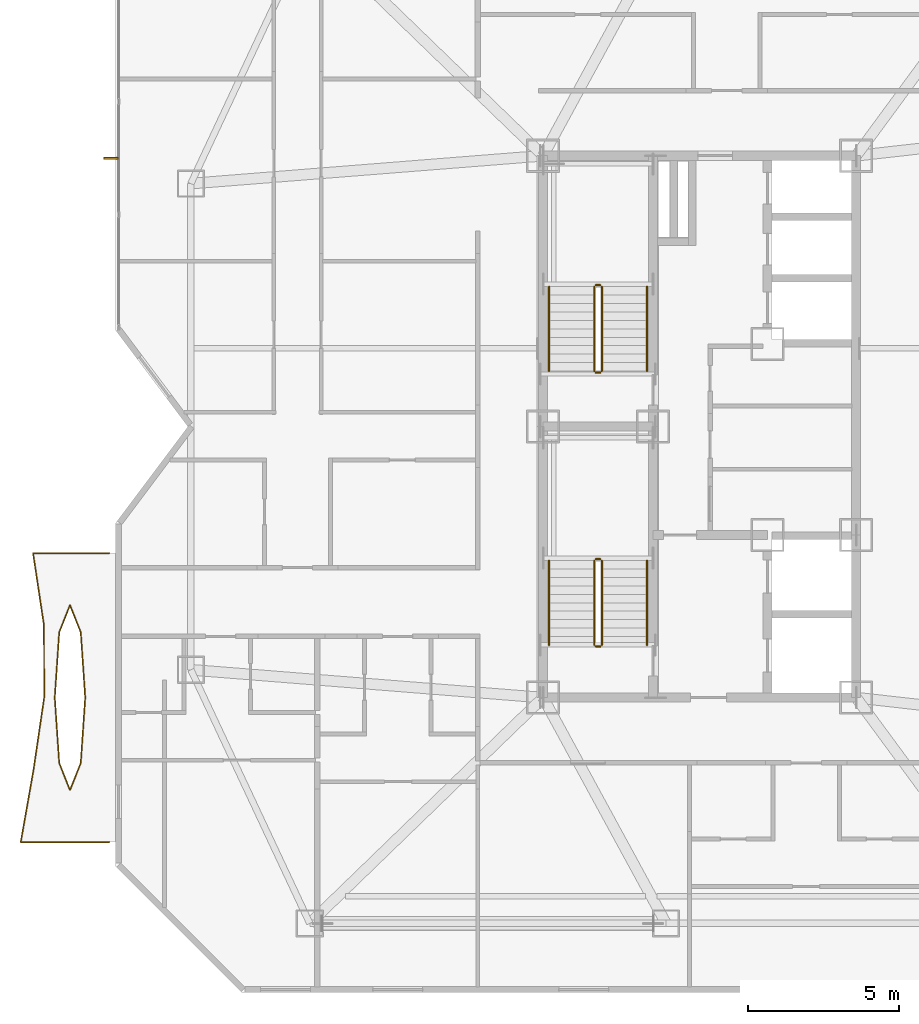
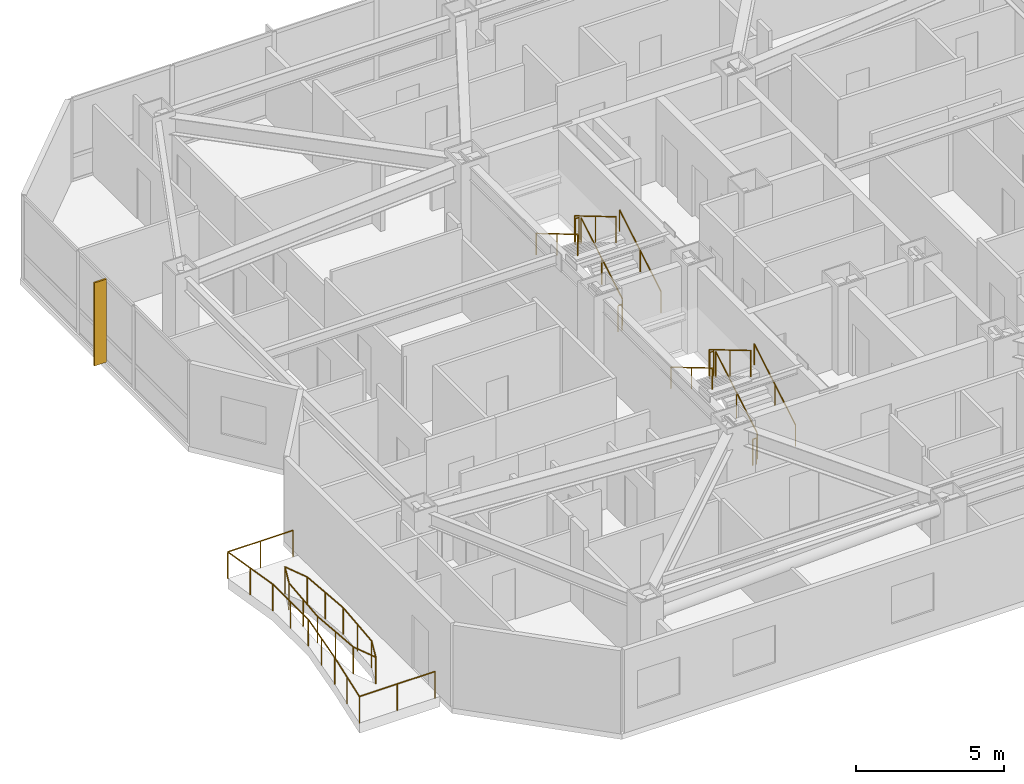
# One storey, part 20 of 21: 16 railings, 1 shading device.
"""IFC4 building model written with IfcOpenShell, lengths in metres."""

from ifc_helpers import new_model, si_unit, direction, frame, origin, origin_2d, place, context, subcontext, project, spatial, rectangle, circle, extrude, material, type_object, element, save


model = new_model("IFC4")

# Units and contexts
model_context = context("Model", 3, precision=1e-05, world=origin(), true_north=direction((0.0, 1.0)))
body_context = subcontext(model_context, "Body", "Model", "MODEL_VIEW")
ifc_project = project(units=[si_unit("LENGTHUNIT", "METRE"), si_unit("AREAUNIT", "SQUARE_METRE"), si_unit("VOLUMEUNIT", "CUBIC_METRE"), si_unit("PLANEANGLEUNIT", "RADIAN"), si_unit("MASSUNIT", "GRAM", prefix="KILO")], contexts=[model_context])

# Site, building, storey
site_placement = place(None, origin())
site = spatial("IfcSite", under=ifc_project, at=site_placement, CompositionType="ELEMENT")
building_placement = place(site_placement, origin())
building = spatial("IfcBuilding", under=site, at=building_placement, Name="Khamvora Tower", CompositionType="ELEMENT")
storey_placement = place(building_placement, frame((0.0, 0.0, 159.550048828125)))
storey = spatial("IfcBuildingStorey", under=building, at=storey_placement, Name="L40", CompositionType="ELEMENT", Elevation=159.550048828125)

# Railings
ifc_material_1 = material(Name="Stainless Steel 316 and Laminated Glass", Category="steel")
railing_type_1 = type_object("IfcRailingType", Name="RAL-GAL-1120", PredefinedType="GUARDRAIL", material=ifc_material_1)
railing_1_placement = place(storey_placement, frame((14.60009765625, 14.199951171875, 0.0)))
element("IfcRailing", 1, at=railing_1_placement, inside=storey, type_object=railing_type_1, Name="L40 lens gallery south perimeter guardrail WL1", PredefinedType="GUARDRAIL", context=body_context, shape_type="SweptSolid", body=[
    extrude(circle(Radius=0.02392578125, at=origin_2d()), frame((0.0, 0.0, 1.09619140625), z_axis=(-1.0, 0.0, 0.0), x_axis=(0.0, -1.0, 0.0)), (0.0, 0.0, 1.0), 2.9521484375),
    extrude(circle(Radius=0.02392578125, at=origin_2d()), frame((-2.9521484375, 0.0, 1.09619140625), z_axis=(0.173602461971, 0.984815812829, 0.0), x_axis=(-0.984815812829, 0.173602461971, 0.0)), (0.0, 0.0, 1.0), 2.437255859375),
    extrude(circle(Radius=0.02392578125, at=origin_2d()), frame((-2.529052734375, 2.400146484375, 1.09619140625), z_axis=(0.145928579368, 0.989295127716, 0.0), x_axis=(-0.989295127716, 0.145928579368, 0.0)), (0.0, 0.0, 1.0), 2.42578125),
    extrude(circle(Radius=0.02099609375, at=origin_2d()), origin(), (0.0, 0.0, 1.0), 1.072021484375),
    extrude(circle(Radius=0.02099609375, at=origin_2d()), frame((-1.47607421875, 0.0, 0.0)), (0.0, 0.0, 1.0), 1.072021484375),
    extrude(circle(Radius=0.02099609375, at=origin_2d()), frame((-2.9521484375, 0.0, 0.0)), (0.0, 0.0, 1.0), 1.072021484375),
    extrude(circle(Radius=0.02099609375, at=origin_2d()), frame((-2.74072265625, 1.2001953125, 0.0)), (0.0, 0.0, 1.0), 1.072021484375),
    extrude(circle(Radius=0.02099609375, at=origin_2d()), frame((-2.529052734375, 2.400146484375, 0.0)), (0.0, 0.0, 1.0), 1.072021484375),
    extrude(circle(Radius=0.02099609375, at=origin_2d()), frame((-2.35205078125, 3.60009765625, 0.0)), (0.0, 0.0, 1.0), 1.072021484375),
    extrude(circle(Radius=0.02099609375, at=origin_2d()), frame((-2.175048828125, 4.800048828125, 0.0)), (0.0, 0.0, 1.0), 1.072021484375),
])
railing_2_placement = place(storey_placement, frame((12.425048828125, 19.0, 0.0)))
element("IfcRailing", 2, at=railing_2_placement, inside=storey, type_object=railing_type_1, Name="L40 lens gallery north perimeter guardrail WL1", PredefinedType="GUARDRAIL", context=body_context, shape_type="SweptSolid", body=[
    extrude(circle(Radius=0.02392578125, at=origin_2d()), frame((0.0, 0.0, 1.09619140625), z_axis=(-0.00254322677, 0.999996765994, 0.0), x_axis=(-0.999996765994, -0.00254322677, 0.0)), (0.0, 0.0, 1.0), 2.39990234375),
    extrude(circle(Radius=0.02392578125, at=origin_2d()), frame((-0.006103515625, 2.39990234375, 1.09619140625), z_axis=(-0.149161773105, 0.988812806068, 0.0), x_axis=(-0.988812806068, -0.149161773105, 0.0)), (0.0, 0.0, 1.0), 2.42724609375),
    extrude(circle(Radius=0.02392578125, at=origin_2d()), frame((-0.3681640625, 4.800048828125, 1.09619140625), z_axis=(1.0, 0.0, 0.0), x_axis=(0.0, 1.0, 0.0)), (0.0, 0.0, 1.0), 2.543212890625),
    extrude(circle(Radius=0.02099609375, at=origin_2d()), origin(), (0.0, 0.0, 1.0), 1.072021484375),
    extrude(circle(Radius=0.02099609375, at=origin_2d()), frame((-0.0029296875, 1.199951171875, 0.0)), (0.0, 0.0, 1.0), 1.072021484375),
    extrude(circle(Radius=0.02099609375, at=origin_2d()), frame((-0.006103515625, 2.39990234375, 0.0)), (0.0, 0.0, 1.0), 1.072021484375),
    extrude(circle(Radius=0.02099609375, at=origin_2d()), frame((-0.18701171875, 3.60009765625, 0.0)), (0.0, 0.0, 1.0), 1.072021484375),
    extrude(circle(Radius=0.02099609375, at=origin_2d()), frame((-0.3681640625, 4.800048828125, 0.0)), (0.0, 0.0, 1.0), 1.072021484375),
    extrude(circle(Radius=0.02099609375, at=origin_2d()), frame((0.9033203125, 4.800048828125, 0.0)), (0.0, 0.0, 1.0), 1.072021484375),
    extrude(circle(Radius=0.02099609375, at=origin_2d()), frame((2.175048828125, 4.800048828125, 0.0)), (0.0, 0.0, 1.0), 1.072021484375),
])
railing_3_placement = place(storey_placement, frame((13.7890625, 19.0, 0.0)))
element("IfcRailing", 3, at=railing_3_placement, inside=storey, type_object=railing_type_1, Name="L40 lens gallery void guardrail WL1A", PredefinedType="GUARDRAIL", context=body_context, shape_type="SweptSolid", body=[
    extrude(circle(Radius=0.02392578125, at=origin_2d()), frame((0.0, 0.0, 1.09619140625), z_axis=(-0.067955394668, 0.997688360329, 0.0), x_axis=(-0.997688360329, -0.067955394668, 0.0)), (0.0, 0.0, 1.0), 2.17724609375),
    extrude(circle(Radius=0.02392578125, at=origin_2d()), frame((-0.14794921875, 2.172119140625, 1.09619140625), z_axis=(-0.368039364147, 0.929810209902, 0.0), x_axis=(-0.929810209902, -0.368039364147, 0.0)), (0.0, 0.0, 1.0), 0.9677734375),
    extrude(circle(Radius=0.02392578125, at=origin_2d()), frame((-0.504150390625, 3.072021484375, 1.09619140625), z_axis=(-0.367821247872, -0.92989651554, 0.0), x_axis=(0.92989651554, -0.367821247872, 0.0)), (0.0, 0.0, 1.0), 0.9677734375),
    extrude(circle(Radius=0.02392578125, at=origin_2d()), frame((-0.860107421875, 2.172119140625, 1.09619140625), z_axis=(-0.067955394668, -0.997688360329, 0.0), x_axis=(0.997688360329, -0.067955394668, 0.0)), (0.0, 0.0, 1.0), 2.17724609375),
    extrude(circle(Radius=0.02099609375, at=origin_2d()), origin(), (0.0, 0.0, 1.0), 1.072021484375),
    extrude(circle(Radius=0.02099609375, at=origin_2d()), frame((-0.073974609375, 1.0859375, 0.0)), (0.0, 0.0, 1.0), 1.072021484375),
    extrude(circle(Radius=0.02099609375, at=origin_2d()), frame((-0.14794921875, 2.172119140625, 0.0)), (0.0, 0.0, 1.0), 1.072021484375),
    extrude(circle(Radius=0.02099609375, at=origin_2d()), frame((-0.504150390625, 3.072021484375, 0.0)), (0.0, 0.0, 1.0), 1.072021484375),
    extrude(circle(Radius=0.02099609375, at=origin_2d()), frame((-0.860107421875, 2.172119140625, 0.0)), (0.0, 0.0, 1.0), 1.072021484375),
    extrude(circle(Radius=0.02099609375, at=origin_2d()), frame((-0.93408203125, 1.0859375, 0.0)), (0.0, 0.0, 1.0), 1.072021484375),
    extrude(circle(Radius=0.02099609375, at=origin_2d()), frame((-1.008056640625, 0.0, 0.0)), (0.0, 0.0, 1.0), 1.072021484375),
])
railing_4_placement = place(storey_placement, frame((12.781005859375, 19.0, 0.0)))
element("IfcRailing", 4, at=railing_4_placement, inside=storey, type_object=railing_type_1, Name="L40 lens gallery void guardrail WL1B", PredefinedType="GUARDRAIL", context=body_context, shape_type="SweptSolid", body=[
    extrude(circle(Radius=0.02392578125, at=origin_2d()), frame((0.0, 0.0, 1.09619140625), z_axis=(0.067955394668, -0.997688360329, 0.0), x_axis=(0.997688360329, 0.067955394668, 0.0)), (0.0, 0.0, 1.0), 2.17724609375),
    extrude(circle(Radius=0.02392578125, at=origin_2d()), frame((0.14794921875, -2.172119140625, 1.09619140625), z_axis=(0.367821247872, -0.92989651554, 0.0), x_axis=(0.92989651554, 0.367821247872, 0.0)), (0.0, 0.0, 1.0), 0.9677734375),
    extrude(circle(Radius=0.02392578125, at=origin_2d()), frame((0.50390625, -3.072021484375, 1.09619140625), z_axis=(0.368039364147, 0.929810209902, 0.0), x_axis=(-0.929810209902, 0.368039364147, 0.0)), (0.0, 0.0, 1.0), 0.9677734375),
    extrude(circle(Radius=0.02392578125, at=origin_2d()), frame((0.860107421875, -2.172119140625, 1.09619140625), z_axis=(0.067955394668, 0.997688360329, 0.0), x_axis=(-0.997688360329, 0.067955394668, 0.0)), (0.0, 0.0, 1.0), 2.17724609375),
    extrude(circle(Radius=0.02099609375, at=origin_2d()), origin(), (0.0, 0.0, 1.0), 1.072021484375),
    extrude(circle(Radius=0.02099609375, at=origin_2d()), frame((0.073974609375, -1.0859375, 0.0)), (0.0, 0.0, 1.0), 1.072021484375),
    extrude(circle(Radius=0.02099609375, at=origin_2d()), frame((0.14794921875, -2.172119140625, 0.0)), (0.0, 0.0, 1.0), 1.072021484375),
    extrude(circle(Radius=0.02099609375, at=origin_2d()), frame((0.50390625, -3.072021484375, 0.0)), (0.0, 0.0, 1.0), 1.072021484375),
    extrude(circle(Radius=0.02099609375, at=origin_2d()), frame((0.860107421875, -2.172119140625, 0.0)), (0.0, 0.0, 1.0), 1.072021484375),
    extrude(circle(Radius=0.02099609375, at=origin_2d()), frame((0.93408203125, -1.0859375, 0.0)), (0.0, 0.0, 1.0), 1.072021484375),
    extrude(circle(Radius=0.02099609375, at=origin_2d()), frame((1.008056640625, 0.0, 0.0)), (0.0, 0.0, 1.0), 1.072021484375),
])
ifc_material_2 = material(Name="Brushed Stainless Steel 316", Category="steel")
railing_type_2 = type_object("IfcRailingType", Name="RAL-HDR-920", PredefinedType="HANDRAIL", material=ifc_material_2)
railing_5_placement = place(storey_placement, frame((32.449951171875, 20.75, 0.165771484375)))
element("IfcRailing", 5, at=railing_5_placement, inside=storey, type_object=railing_type_2, Name="L40 ST-01 stair handrail 1", PredefinedType="HANDRAIL", context=body_context, shape_type="SweptSolid", body=[
    extrude(circle(Radius=0.02392578125, at=origin_2d()), frame((0.0, 0.0, 0.8759765625), z_axis=(0.0, 0.860306154799, 0.50977771628), x_axis=(-1.0, 0.0, 0.0)), (0.0, 0.0, 1.0), 3.254638671875),
    extrude(circle(Radius=0.02099609375, at=origin_2d()), origin(), (0.0, 0.0, 1.0), 0.851806640625),
    extrude(circle(Radius=0.02099609375, at=origin_2d()), frame((0.0, 1.39990234375, 0.82958984375)), (0.0, 0.0, 1.0), 0.851806640625),
    extrude(circle(Radius=0.02099609375, at=origin_2d()), frame((0.0, 2.800048828125, 1.6591796875)), (0.0, 0.0, 1.0), 0.851806640625),
])
railing_6_placement = place(storey_placement, frame((29.199951171875, 23.550048828125, 1.990966796875)))
element("IfcRailing", 6, at=railing_6_placement, inside=storey, type_object=railing_type_2, Name="L40 ST-01 stair handrail 2", PredefinedType="HANDRAIL", context=body_context, shape_type="SweptSolid", body=[
    extrude(circle(Radius=0.02392578125, at=origin_2d()), frame((0.0, 0.0, 0.8759765625), z_axis=(0.0, -0.860339051648, 0.50972219513), x_axis=(1.0, 0.0, 0.0)), (0.0, 0.0, 1.0), 3.254638671875),
    extrude(circle(Radius=0.02099609375, at=origin_2d()), origin(), (0.0, 0.0, 1.0), 0.851806640625),
    extrude(circle(Radius=0.02099609375, at=origin_2d()), frame((0.0, -1.39990234375, 0.82958984375)), (0.0, 0.0, 1.0), 0.851806640625),
    extrude(circle(Radius=0.02099609375, at=origin_2d()), frame((0.0, -2.800048828125, 1.658935546875)), (0.0, 0.0, 1.0), 0.851806640625),
])
railing_7_placement = place(storey_placement, frame((32.449951171875, 29.85009765625, 0.165771484375)))
element("IfcRailing", 7, at=railing_7_placement, inside=storey, type_object=railing_type_2, Name="L40 ST-02 stair handrail 1", PredefinedType="HANDRAIL", context=body_context, shape_type="SweptSolid", body=[
    extrude(circle(Radius=0.02392578125, at=origin_2d()), frame((0.0, 0.0, 0.8759765625), z_axis=(0.0, 0.860286659441, 0.509810615413), x_axis=(-1.0, 0.0, 0.0)), (0.0, 0.0, 1.0), 3.25439453125),
    extrude(circle(Radius=0.02099609375, at=origin_2d()), origin(), (0.0, 0.0, 1.0), 0.851806640625),
    extrude(circle(Radius=0.02099609375, at=origin_2d()), frame((0.0, 1.39990234375, 0.82958984375)), (0.0, 0.0, 1.0), 0.851806640625),
    extrude(circle(Radius=0.02099609375, at=origin_2d()), frame((0.0, 2.7998046875, 1.6591796875)), (0.0, 0.0, 1.0), 0.851806640625),
])
railing_8_placement = place(storey_placement, frame((29.199951171875, 32.64990234375, 1.990966796875)))
element("IfcRailing", 8, at=railing_8_placement, inside=storey, type_object=railing_type_2, Name="L40 ST-02 stair handrail 2", PredefinedType="HANDRAIL", context=body_context, shape_type="SweptSolid", body=[
    extrude(circle(Radius=0.02392578125, at=origin_2d()), frame((0.0, 0.0, 0.8759765625), z_axis=(0.0, -0.860319559791, 0.509755093197), x_axis=(1.0, 0.0, 0.0)), (0.0, 0.0, 1.0), 3.25439453125),
    extrude(circle(Radius=0.02099609375, at=origin_2d()), origin(), (0.0, 0.0, 1.0), 0.851806640625),
    extrude(circle(Radius=0.02099609375, at=origin_2d()), frame((0.0, -1.39990234375, 0.82958984375)), (0.0, 0.0, 1.0), 0.851806640625),
    extrude(circle(Radius=0.02099609375, at=origin_2d()), frame((0.0, -2.7998046875, 1.658935546875)), (0.0, 0.0, 1.0), 0.851806640625),
])
ifc_material_3 = material(Name="Stainless Steel 316", Category="steel")
railing_type_3 = type_object("IfcRailingType", Name="RAL-STG-1100", PredefinedType="GUARDRAIL", material=ifc_material_3)
railing_9_placement = place(storey_placement, frame((30.949951171875, 20.75, 0.165771484375)))
element("IfcRailing", 9, at=railing_9_placement, inside=storey, type_object=railing_type_3, Name="L40 ST-01 stair guard 1", PredefinedType="GUARDRAIL", context=body_context, shape_type="SweptSolid", body=[
    extrude(circle(Radius=0.02392578125, at=origin_2d()), frame((0.0, 0.0, 1.076171875), z_axis=(0.0, 0.860306154799, 0.50977771628), x_axis=(-1.0, 0.0, 0.0)), (0.0, 0.0, 1.0), 3.254638671875),
    extrude(circle(Radius=0.02099609375, at=origin_2d()), origin(), (0.0, 0.0, 1.0), 1.052001953125),
    extrude(circle(Radius=0.02099609375, at=origin_2d()), frame((0.0, 1.39990234375, 0.82958984375)), (0.0, 0.0, 1.0), 1.052001953125),
    extrude(circle(Radius=0.02099609375, at=origin_2d()), frame((0.0, 2.800048828125, 1.6591796875)), (0.0, 0.0, 1.0), 1.052001953125),
])
railing_10_placement = place(storey_placement, frame((30.89990234375, 23.60009765625, 1.824951171875)))
element("IfcRailing", 10, at=railing_10_placement, inside=storey, type_object=railing_type_3, Name="L40 ST-01 stair guard 2", PredefinedType="GUARDRAIL", context=body_context, shape_type="SweptSolid", body=[
    extrude(circle(Radius=0.02392578125, at=origin_2d()), frame((0.0, 0.0, 1.076171875), z_axis=(-1.0, 0.0, 0.0), x_axis=(0.0, -1.0, 0.0)), (0.0, 0.0, 1.0), 0.14990234375),
    extrude(circle(Radius=0.02099609375, at=origin_2d()), origin(), (0.0, 0.0, 1.0), 1.052001953125),
    extrude(circle(Radius=0.02099609375, at=origin_2d()), frame((-0.14990234375, 0.0, 0.0)), (0.0, 0.0, 1.0), 1.052001953125),
])
railing_11_placement = place(storey_placement, frame((30.699951171875, 23.550048828125, 1.990966796875)))
element("IfcRailing", 11, at=railing_11_placement, inside=storey, type_object=railing_type_3, Name="L40 ST-01 stair guard 3", PredefinedType="GUARDRAIL", context=body_context, shape_type="SweptSolid", body=[
    extrude(circle(Radius=0.02392578125, at=origin_2d()), frame((0.0, 0.0, 1.076171875), z_axis=(0.0, -0.860339051648, 0.50972219513), x_axis=(1.0, 0.0, 0.0)), (0.0, 0.0, 1.0), 3.254638671875),
    extrude(circle(Radius=0.02099609375, at=origin_2d()), origin(), (0.0, 0.0, 1.0), 1.052001953125),
    extrude(circle(Radius=0.02099609375, at=origin_2d()), frame((0.0, -1.39990234375, 0.82958984375)), (0.0, 0.0, 1.0), 1.052001953125),
    extrude(circle(Radius=0.02099609375, at=origin_2d()), frame((0.0, -2.800048828125, 1.658935546875)), (0.0, 0.0, 1.0), 1.052001953125),
])
railing_12_placement = place(storey_placement, frame((30.89990234375, 20.699951171875, 0.0)))
element("IfcRailing", 12, at=railing_12_placement, inside=storey, type_object=railing_type_3, Name="L40 ST-01 stair guard 4", PredefinedType="GUARDRAIL", context=body_context, shape_type="SweptSolid", body=[
    extrude(circle(Radius=0.02392578125, at=origin_2d()), frame((0.0, 0.0, 1.076171875), z_axis=(-1.0, 0.0, 0.0), x_axis=(0.0, -1.0, 0.0)), (0.0, 0.0, 1.0), 0.14990234375),
    extrude(circle(Radius=0.02099609375, at=origin_2d()), origin(), (0.0, 0.0, 1.0), 1.052001953125),
    extrude(circle(Radius=0.02099609375, at=origin_2d()), frame((-0.14990234375, 0.0, 0.0)), (0.0, 0.0, 1.0), 1.052001953125),
])
railing_13_placement = place(storey_placement, frame((30.949951171875, 29.85009765625, 0.165771484375)))
element("IfcRailing", 13, at=railing_13_placement, inside=storey, type_object=railing_type_3, Name="L40 ST-02 stair guard 1", PredefinedType="GUARDRAIL", context=body_context, shape_type="SweptSolid", body=[
    extrude(circle(Radius=0.02392578125, at=origin_2d()), frame((0.0, 0.0, 1.076171875), z_axis=(0.0, 0.860286659441, 0.509810615413), x_axis=(-1.0, 0.0, 0.0)), (0.0, 0.0, 1.0), 3.25439453125),
    extrude(circle(Radius=0.02099609375, at=origin_2d()), origin(), (0.0, 0.0, 1.0), 1.052001953125),
    extrude(circle(Radius=0.02099609375, at=origin_2d()), frame((0.0, 1.39990234375, 0.82958984375)), (0.0, 0.0, 1.0), 1.052001953125),
    extrude(circle(Radius=0.02099609375, at=origin_2d()), frame((0.0, 2.7998046875, 1.6591796875)), (0.0, 0.0, 1.0), 1.052001953125),
])
railing_14_placement = place(storey_placement, frame((30.89990234375, 32.699951171875, 1.824951171875)))
element("IfcRailing", 14, at=railing_14_placement, inside=storey, type_object=railing_type_3, Name="L40 ST-02 stair guard 2", PredefinedType="GUARDRAIL", context=body_context, shape_type="SweptSolid", body=[
    extrude(circle(Radius=0.02392578125, at=origin_2d()), frame((0.0, 0.0, 1.076171875), z_axis=(-1.0, 0.0, 0.0), x_axis=(0.0, -1.0, 0.0)), (0.0, 0.0, 1.0), 0.14990234375),
    extrude(circle(Radius=0.02099609375, at=origin_2d()), origin(), (0.0, 0.0, 1.0), 1.052001953125),
    extrude(circle(Radius=0.02099609375, at=origin_2d()), frame((-0.14990234375, 0.0, 0.0)), (0.0, 0.0, 1.0), 1.052001953125),
])
railing_15_placement = place(storey_placement, frame((30.699951171875, 32.64990234375, 1.990966796875)))
element("IfcRailing", 15, at=railing_15_placement, inside=storey, type_object=railing_type_3, Name="L40 ST-02 stair guard 3", PredefinedType="GUARDRAIL", context=body_context, shape_type="SweptSolid", body=[
    extrude(circle(Radius=0.02392578125, at=origin_2d()), frame((0.0, 0.0, 1.076171875), z_axis=(0.0, -0.860319559791, 0.509755093197), x_axis=(1.0, 0.0, 0.0)), (0.0, 0.0, 1.0), 3.25439453125),
    extrude(circle(Radius=0.02099609375, at=origin_2d()), origin(), (0.0, 0.0, 1.0), 1.052001953125),
    extrude(circle(Radius=0.02099609375, at=origin_2d()), frame((0.0, -1.39990234375, 0.82958984375)), (0.0, 0.0, 1.0), 1.052001953125),
    extrude(circle(Radius=0.02099609375, at=origin_2d()), frame((0.0, -2.7998046875, 1.658935546875)), (0.0, 0.0, 1.0), 1.052001953125),
])
railing_16_placement = place(storey_placement, frame((30.89990234375, 29.800048828125, 0.0)))
element("IfcRailing", 16, at=railing_16_placement, inside=storey, type_object=railing_type_3, Name="L40 ST-02 stair guard 4", PredefinedType="GUARDRAIL", context=body_context, shape_type="SweptSolid", body=[
    extrude(circle(Radius=0.02392578125, at=origin_2d()), frame((0.0, 0.0, 1.076171875), z_axis=(-1.0, 0.0, 0.0), x_axis=(0.0, -1.0, 0.0)), (0.0, 0.0, 1.0), 0.14990234375),
    extrude(circle(Radius=0.02099609375, at=origin_2d()), origin(), (0.0, 0.0, 1.0), 1.052001953125),
    extrude(circle(Radius=0.02099609375, at=origin_2d()), frame((-0.14990234375, 0.0, 0.0)), (0.0, 0.0, 1.0), 1.052001953125),
])

# Shading device
ifc_material_4 = material(Name="Anodised Bronze Aluminium 6063-T6", Category="aluminium")
shading_device_type = type_object("IfcShadingDeviceType", Name="SHD-FIN-480", PredefinedType="USERDEFINED", material=ifc_material_4)
shading_device_placement = place(storey_placement, frame((14.64306640625, 36.9208984375, 0.0), z_axis=(0.0, 0.0, 1.0), x_axis=(0.0, 1.0, 0.0)))
element("IfcShadingDevice", 17, at=shading_device_placement, inside=storey, type_object=shading_device_type, Name="L40 anodised bronze solar fin 05.01", ObjectType="FIN", PredefinedType="USERDEFINED", context=body_context, shape_type="SweptSolid", body=[
    extrude(rectangle(XDim=0.06494140625, YDim=0.47998046875, at=origin_2d()), origin(), (0.0, 0.0, 1.0), 3.429931640625),
])

save(model, "model.ifc")
